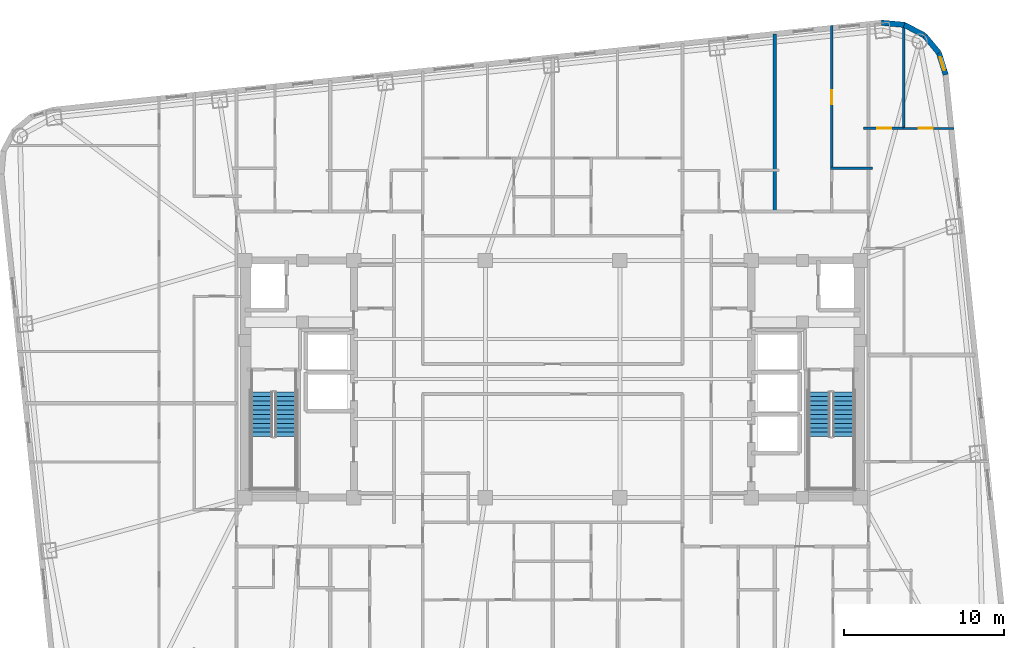
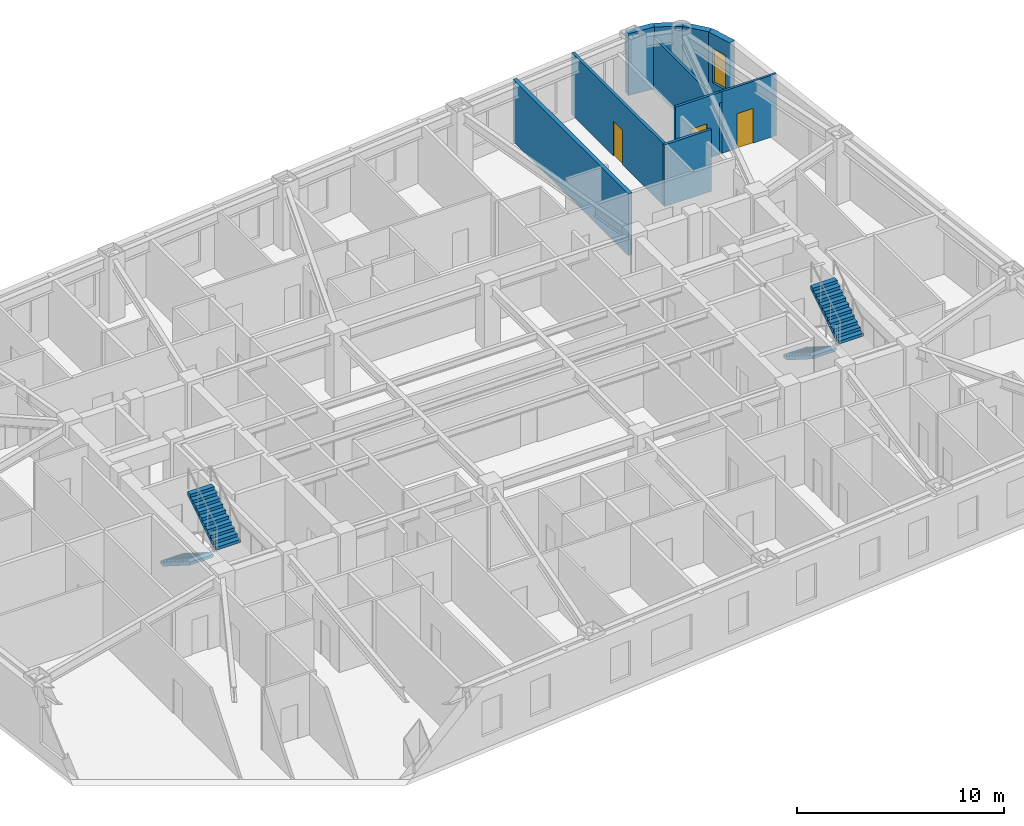
# One storey, part 9 of 11: 10 walls, 4 stair flights, 3 doors, 1 window, 4 openings, 2 elements without a shape of their own.
"""IFC4 building model written with IfcOpenShell, lengths in metres."""

import ifcopenshell
import ifcopenshell.guid

model = None  # the IFC model being written
_history = None  # IfcOwnerHistory: only IFC2X3 demands one
_inside = {}  # id of a spatial element -> (the spatial element, [elements in it])
_under = {}  # id of a project, library or spatial element -> (it, [spatial elements below it])
_declared = {}  # id of a project -> (the project, [libraries it declares])
_typed = {}  # id of a type object -> (the type object, [elements of that type])
_made_of = {}  # id of a material, layer set ... -> (it, [elements and type objects made of it])


def new_model(schema):
    """Start an empty IFC model of exactly this schema.

    Asked for "IFC4X3", IfcOpenShell would pick the latest addendum, in which some entities
    have other attributes; the version numbers below select the first issue.
    IFC2X3 requires an IfcOwnerHistory on every rooted entity: one is made here for all.
    """
    global model, _history
    if schema == "IFC4X3":
        model = ifcopenshell.file(schema_version=(4, 3, 0, 0))
    else:
        model = ifcopenshell.file(schema=schema)
    _inside.clear()
    _under.clear()
    _declared.clear()
    _typed.clear()
    _made_of.clear()
    _history = None
    if model.schema == "IFC2X3":
        org = make("IfcOrganization", Name="unknown")
        user = make(
            "IfcPersonAndOrganization",
            ThePerson=make("IfcPerson", FamilyName="unknown"),
            TheOrganization=org,
        )
        app = make(
            "IfcApplication",
            ApplicationDeveloper=org,
            Version="unknown",
            ApplicationFullName="unknown",
            ApplicationIdentifier="unknown",
        )
        _history = make(
            "IfcOwnerHistory",
            OwningUser=user,
            OwningApplication=app,
            ChangeAction="ADDED",
            CreationDate=0,
        )
    return model


def make(cls, **values):
    """One entity of the class cls with the attributes given. An attribute that is None is left unset."""
    return model.create_entity(
        cls, **{name: value for name, value in values.items() if value is not None}
    )


def rooted(cls, **values):
    """An entity with a GlobalId (a new one), such as an element, a storey or a relation."""
    return make(cls, GlobalId=ifcopenshell.guid.new(), OwnerHistory=_history, **values)


def si_unit(unit_type, name, prefix=None):
    """IfcSIUnit, for example si_unit("LENGTHUNIT", "METRE", prefix="MILLI")."""
    return make("IfcSIUnit", UnitType=unit_type, Prefix=prefix, Name=name)


def assignment(units):
    """IfcUnitAssignment: the units of a project."""
    return None if units is None else make("IfcUnitAssignment", Units=units)


def point(xyz):
    """IfcCartesianPoint."""
    return None if xyz is None else make("IfcCartesianPoint", Coordinates=xyz)


def direction(xyz):
    """IfcDirection."""
    return None if xyz is None else make("IfcDirection", DirectionRatios=xyz)


def frame(location, z_axis=None, x_axis=None):
    """IfcAxis2Placement3D, a coordinate frame: its origin and axes. An axis left out is left unset."""
    return make(
        "IfcAxis2Placement3D",
        Location=point(location),
        Axis=direction(z_axis),
        RefDirection=direction(x_axis),
    )


def frame_2d(location, x_axis=None):
    """IfcAxis2Placement2D, a coordinate frame in the plane: its origin and x axis."""
    return make(
        "IfcAxis2Placement2D", Location=point(location), RefDirection=direction(x_axis)
    )


def origin():
    """The frame at (0, 0, 0) with its axes left unset."""
    return frame((0.0, 0.0, 0.0))


def place(relative_to, where):
    """IfcLocalPlacement: puts the frame where relative to a parent placement (None: the world)."""
    return make(
        "IfcLocalPlacement", PlacementRelTo=relative_to, RelativePlacement=where
    )


def context(
    kind, dimensions, precision=None, world=None, true_north=None, identifier=None
):
    """IfcGeometricRepresentationContext, for example the 3D "Model" context."""
    return make(
        "IfcGeometricRepresentationContext",
        ContextIdentifier=identifier,
        ContextType=kind,
        CoordinateSpaceDimension=dimensions,
        Precision=precision,
        WorldCoordinateSystem=world,
        TrueNorth=true_north,
    )


def subcontext(parent, identifier, kind, view, scale=None):
    """IfcGeometricRepresentationSubContext, for example "Body" below "Model"."""
    return make(
        "IfcGeometricRepresentationSubContext",
        ContextIdentifier=identifier,
        ContextType=kind,
        ParentContext=parent,
        TargetScale=scale,
        TargetView=view,
    )


def project(units=None, contexts=None):
    """IfcProject with its units and contexts."""
    return rooted(
        "IfcProject",
        Name="project",
        RepresentationContexts=contexts,
        UnitsInContext=assignment(units),
    )


def spatial(cls, under=None, at=None, **own):
    """A site, building, storey or space (cls), placed at a placement, below another one or the project."""
    s = rooted(cls, ObjectPlacement=at, **own)
    if under is not None:
        _under.setdefault(under.id(), (under, []))[1].append(s)
    return s


def polyline(points):
    """IfcPolyline through the points."""
    return make("IfcPolyline", Points=[point(p) for p in points])


def profile(cls, at=None, kind="AREA", **sizes):
    """A parametric profile (cls). Its sizes go by their IFC names, for example OverallWidth=200.0."""
    return make(cls, ProfileType=kind, Position=at, **sizes)


def rectangle(**sizes):
    """IfcRectangleProfileDef."""
    return profile("IfcRectangleProfileDef", **sizes)


def outline(outer, holes=None, kind="AREA"):
    """IfcArbitraryClosedProfileDef: a profile drawn as a closed curve; with holes, ...WithVoids."""
    if holes is None:
        return make("IfcArbitraryClosedProfileDef", ProfileType=kind, OuterCurve=outer)
    return make(
        "IfcArbitraryProfileDefWithVoids",
        ProfileType=kind,
        OuterCurve=outer,
        InnerCurves=holes,
    )


def extrude(swept, where, along, depth):
    """IfcExtrudedAreaSolid: the profile swept, set in the frame where, extruded along a direction by depth."""
    return make(
        "IfcExtrudedAreaSolid",
        SweptArea=swept,
        Position=where,
        ExtrudedDirection=direction(along),
        Depth=depth,
    )


def shape(context_of_items, identifier, shape_type, items):
    """IfcShapeRepresentation: the items that make up one representation, for example the "Body"."""
    return make(
        "IfcShapeRepresentation",
        ContextOfItems=context_of_items,
        RepresentationIdentifier=identifier,
        RepresentationType=shape_type,
        Items=items,
    )


def material(Name=None, Category=None):
    """IfcMaterial."""
    return make("IfcMaterial", Name=Name, Category=Category)


def layer(
    of_material, thickness, ventilated=None, Name=None, Category=None, Priority=None
):
    """IfcMaterialLayer: one layer of a wall or slab, of a material (None: an air gap)."""
    return make(
        "IfcMaterialLayer",
        Material=of_material,
        LayerThickness=thickness,
        IsVentilated=ventilated,
        Name=Name,
        Category=Category,
        Priority=Priority,
    )


def layer_set(layers, Name=None):
    """IfcMaterialLayerSet."""
    return make("IfcMaterialLayerSet", MaterialLayers=layers, LayerSetName=Name)


def made_of(thing, what):
    """Note that an element or type object is made of a material, layer set ...; save() writes the relation."""
    if what is not None:
        _made_of.setdefault(what.id(), (what, []))[1].append(thing)
    return thing


def type_object(cls, material=None, **own):
    """A type object (cls), such as IfcWallType, which elements share."""
    return made_of(rooted(cls, **own), material)


def element(
    cls,
    number,
    at=None,
    inside=None,
    cuts=None,
    type_object=None,
    material=None,
    context=None,
    identifier="Body",
    shape_type=None,
    held_by="IfcProductDefinitionShape",
    body=None,
    shapes=None,
    **own,
):
    """One element of the class cls, such as IfcWall. Its Tag is "e" and its number.

    at: its placement. inside: the storey or other place that contains it. cuts: it is an
    opening in that element (IfcRelVoidsElement). A single representation is given by context,
    identifier, shape_type and body (its items); several are given by shapes. held_by: the class
    of the entity that holds the representations. save() writes the other relations.
    """
    e = rooted(cls, Tag="e%d" % number, ObjectPlacement=at, **own)
    if body is not None:
        shapes = [shape(context, identifier, shape_type, body)]
    if shapes is not None:
        e.Representation = make(held_by, Representations=shapes)
    if inside is not None:
        _inside.setdefault(inside.id(), (inside, []))[1].append(e)
    if cuts is not None:
        rooted(
            "IfcRelVoidsElement", RelatingBuildingElement=cuts, RelatedOpeningElement=e
        )
    if type_object is not None:
        _typed.setdefault(type_object.id(), (type_object, []))[1].append(e)
    return made_of(e, material)


def fill(opening, filler):
    """IfcRelFillsElement: the door or window that sits in an opening."""
    return rooted(
        "IfcRelFillsElement",
        RelatingOpeningElement=opening,
        RelatedBuildingElement=filler,
    )


def aggregate(whole, parts):
    """IfcRelAggregates: a whole, such as a stair, and the parts it consists of."""
    return rooted("IfcRelAggregates", RelatingObject=whole, RelatedObjects=parts)


def save(model, path):
    """Write the relations noted so far, then the file.

    IfcRelAggregates (storeys below a building ...), IfcRelContainedInSpatialStructure (elements
    in a storey), IfcRelDefinesByType, IfcRelAssociatesMaterial and IfcRelDeclares: one each for
    every whole, place, type object, material and project.
    """
    for whole, parts in _under.values():
        aggregate(whole, parts)
    for where, things in _inside.values():
        rooted(
            "IfcRelContainedInSpatialStructure",
            RelatedElements=things,
            RelatingStructure=where,
        )
    for kind, things in _typed.values():
        rooted("IfcRelDefinesByType", RelatedObjects=things, RelatingType=kind)
    for what, things in _made_of.values():
        rooted("IfcRelAssociatesMaterial", RelatedObjects=things, RelatingMaterial=what)
    for by, libraries in _declared.values():
        rooted("IfcRelDeclares", RelatingContext=by, RelatedDefinitions=libraries)
    model.write(path)


model = new_model("IFC4")

# Units and contexts
model_context = context("Model", 3, precision=1e-05, world=origin(), true_north=direction((0.0, 1.0)))
body_context = subcontext(model_context, "Body", "Model", "MODEL_VIEW")
ifc_project = project(units=[si_unit("LENGTHUNIT", "METRE"), si_unit("AREAUNIT", "SQUARE_METRE"), si_unit("VOLUMEUNIT", "CUBIC_METRE"), si_unit("PLANEANGLEUNIT", "RADIAN"), si_unit("MASSUNIT", "GRAM", prefix="KILO")], contexts=[model_context])

# Site, building, storey
site_placement = place(None, origin())
site = spatial("IfcSite", under=ifc_project, at=site_placement, CompositionType="ELEMENT")
building_placement = place(site_placement, origin())
building = spatial("IfcBuilding", under=site, at=building_placement, Name="Voryun Gate Residences", CompositionType="ELEMENT")
storey_placement = place(building_placement, frame((0.0, 0.0, 156.0)))
storey = spatial("IfcBuildingStorey", under=building, at=storey_placement, Name="L38", CompositionType="ELEMENT", Elevation=156.0)

# Walls
ifc_material_1 = material(Name="Charcoal terracotta masonry", Category="masonry")
ifc_layer_1 = layer(ifc_material_1, 0.340087890625, Name="W_EXT_TERRACOTTA_340")
ifc_layer_set_1 = layer_set([ifc_layer_1], Name="Charcoal terracotta masonry")
wall_type_1 = type_object("IfcWallType", Name="W_EXT_TERRACOTTA_340", PredefinedType="ELEMENTEDWALL", material=ifc_layer_set_1)
wall_1_placement = place(storey_placement, frame((20.5263671875, 22.235107421875, 0.0), z_axis=(0.0, 0.0, 1.0), x_axis=(0.995800460351, -0.091550222087, 0.0)))
element("IfcWall", 1, at=wall_1_placement, inside=storey, type_object=wall_type_1, Name="Exterior wall WEXT-L38-12", PredefinedType="ELEMENTEDWALL", context=body_context, shape_type="SweptSolid", body=[
    extrude(rectangle(XDim=1.43212890625, YDim=0.340087890625, at=frame_2d((0.716064453125, 0.0))), origin(), (0.0, 0.0, 1.0), 3.64990234375),
])
wall_2_placement = place(storey_placement, frame((21.952392578125, 22.10400390625, 0.0), z_axis=(0.0, 0.0, 1.0), x_axis=(0.885023004245, -0.465547292933, 0.0)))
element("IfcWall", 2, at=wall_2_placement, inside=storey, type_object=wall_type_1, Name="Exterior wall WEXT-L38-13", PredefinedType="ELEMENTEDWALL", context=body_context, shape_type="SweptSolid", body=[
    extrude(rectangle(XDim=1.414794921875, YDim=0.340087890625, at=frame_2d((0.70751953125, 0.0))), origin(), (0.0, 0.0, 1.0), 3.64990234375),
])
wall_3_placement = place(storey_placement, frame((23.20458984375, 21.4453125, 0.0), z_axis=(0.0, 0.0, 1.0), x_axis=(0.639539337522, -0.768758372808, 0.0)))
element("IfcWall", 3, at=wall_3_placement, inside=storey, type_object=wall_type_1, Name="Exterior wall WEXT-L38-14", PredefinedType="ELEMENTEDWALL", context=body_context, shape_type="SweptSolid", body=[
    extrude(rectangle(XDim=1.4150390625, YDim=0.340087890625, at=frame_2d((0.70751953125, 0.0))), origin(), (0.0, 0.0, 1.0), 3.64990234375),
])

# Wall, opening, window
wall_4_placement = place(storey_placement, frame((24.109619140625, 20.357421875, 0.0), z_axis=(0.0, 0.0, 1.0), x_axis=(0.296420660287, -0.955057481074, 0.0)))
wall_4 = element("IfcWall", 4, at=wall_4_placement, inside=storey, type_object=wall_type_1, Name="Exterior wall WEXT-L38-15", PredefinedType="ELEMENTEDWALL", context=body_context, shape_type="SweptSolid", body=[
    extrude(rectangle(XDim=1.432373046875, YDim=0.340087890625, at=frame_2d((0.71630859375, 0.0))), origin(), (0.0, 0.0, 1.0), 3.64990234375),
])
opening_1_placement = place(wall_4_placement, frame((0.291015625, 0.0, 0.75)))
opening_1 = element("IfcOpeningElement", 5, at=opening_1_placement, cuts=wall_4, Name="Opening WN9", PredefinedType="OPENING", context=body_context, shape_type="SweptSolid", body=[
    extrude(rectangle(XDim=0.85009765625, YDim=2.050048828125, at=frame_2d((0.425048828125, 1.02490234375))), frame((0.0, 0.179931640625, 0.0), z_axis=(0.0, -1.0, 0.0), x_axis=(1.0, 0.0, 0.0)), (0.0, 0.0, 1.0), 0.360107421875),
])
ifc_material_2 = material(Name="Laminated low-E glass", Category="glass")
window_type = type_object("IfcWindowType", Name="WN_RES_CASEMENT_850", PartitioningType="SINGLE_PANEL", PredefinedType="WINDOW", material=ifc_material_2)
window_placement = place(opening_1_placement, origin())
window = element("IfcWindow", 6, at=window_placement, inside=storey, type_object=window_type, Name="Window WN-L38-DWFIX-27", OverallHeight=2.050048828125, OverallWidth=0.85009765625, PartitioningType="SINGLE_PANEL", PredefinedType="WINDOW", context=body_context, shape_type="SweptSolid", body=[
    extrude(rectangle(XDim=0.85009765625, YDim=2.050048828125, at=frame_2d((0.425048828125, 1.02490234375))), frame((0.0, 0.030029296875, 0.0), z_axis=(0.0, -1.0, 0.0), x_axis=(1.0, 0.0, 0.0)), (0.0, 0.0, 1.0), 0.06005859375),
])
fill(opening_1, window)

# Wall
ifc_material_3 = material(Name="Concrete C40/50", Category="concrete")
ifc_layer_2 = layer(ifc_material_3, 0.219970703125, Name="W_PARTY_ACOUSTIC_220")
ifc_layer_set_2 = layer_set([ifc_layer_2], Name="Concrete C40/50")
wall_type_2 = type_object("IfcWallType", Name="W_PARTY_ACOUSTIC_220", PredefinedType="PARTITIONING", material=ifc_layer_set_2)
wall_5_placement = place(storey_placement, frame((13.864990234375, 10.3701171875, 0.0), z_axis=(0.0, 0.0, 1.0), x_axis=(0.0, 1.0, 0.0)))
element("IfcWall", 7, at=wall_5_placement, inside=storey, type_object=wall_type_2, Name="Partition wall WP-L38-NPTY-4", PredefinedType="PARTITIONING", context=body_context, shape_type="SweptSolid", body=[
    extrude(rectangle(XDim=11.164794921875, YDim=0.219970703125, at=frame_2d((5.58251953125, 0.0))), origin(), (0.0, 0.0, 1.0), 3.64990234375),
])

# Wall, opening, door
ifc_material_4 = material(Name="Gypsum acoustic partition")
ifc_layer_3 = layer(ifc_material_4, 0.125, Name="W_UNIT_PART_125")
ifc_layer_set_3 = layer_set([ifc_layer_3], Name="Gypsum acoustic partition")
wall_type_3 = type_object("IfcWallType", Name="W_UNIT_PART_125", PredefinedType="PARTITIONING", material=ifc_layer_set_3)
wall_6_placement = place(storey_placement, frame((21.860107421875, 15.64208984375, 0.0), z_axis=(0.0, 0.0, 1.0), x_axis=(1.0, 0.0, 0.0)))
wall_6 = element("IfcWall", 8, at=wall_6_placement, inside=storey, type_object=wall_type_3, Name="Partition wall WP-L38-E2-OHZ", PredefinedType="PARTITIONING", context=body_context, shape_type="SweptSolid", body=[
    extrude(rectangle(XDim=3.1767578125, YDim=0.125, at=frame_2d((1.58837890625, 0.0))), origin(), (0.0, 0.0, 1.0), 3.64990234375),
])
opening_2_placement = place(wall_6_placement, frame((0.9794921875, 0.0, 0.0)))
opening_2 = element("IfcOpeningElement", 9, at=opening_2_placement, cuts=wall_6, Name="Opening D-INT-2", PredefinedType="OPENING", context=body_context, shape_type="SweptSolid", body=[
    extrude(rectangle(XDim=0.89990234375, YDim=2.050048828125, at=frame_2d((0.449951171875, 1.02490234375))), frame((0.0, 0.072509765625, 0.0), z_axis=(0.0, -1.0, 0.0), x_axis=(1.0, 0.0, 0.0)), (0.0, 0.0, 1.0), 0.14501953125),
])
ifc_material_5 = material(Name="Architectural oak veneer")
door_type = type_object("IfcDoorType", Name="DR_INT_BATH_900", OperationType="NOTDEFINED", PredefinedType="DOOR", material=ifc_material_5)
door_1_placement = place(opening_2_placement, origin())
door_1 = element("IfcDoor", 10, at=door_1_placement, inside=storey, type_object=door_type, Name="Door DR-L38-E2-DMB", OperationType="SINGLE_SWING_LEFT", OverallHeight=2.050048828125, OverallWidth=0.89990234375, PredefinedType="DOOR", context=body_context, shape_type="SweptSolid", body=[
    extrude(rectangle(XDim=0.89990234375, YDim=2.050048828125, at=frame_2d((0.449951171875, 1.02490234375))), frame((0.0, 0.02490234375, 0.0), z_axis=(0.0, -1.0, 0.0), x_axis=(1.0, 0.0, 0.0)), (0.0, 0.0, 1.0), 0.050048828125),
])
fill(opening_2, door_1)

# Wall
ifc_material_6 = material(Name="Gypsum moisture-resistant partition")
ifc_layer_4 = layer(ifc_material_6, 0.14990234375, Name="W_WET_PLUMB_150")
ifc_layer_set_4 = layer_set([ifc_layer_4], Name="Gypsum moisture-resistant partition")
wall_type_4 = type_object("IfcWallType", Name="W_WET_PLUMB_150", PredefinedType="PLUMBINGWALL", material=ifc_layer_set_4)
wall_7_placement = place(storey_placement, frame((17.3369140625, 13.14990234375, 0.0), z_axis=(0.0, 0.0, 1.0), x_axis=(1.0, 0.0, 0.0)))
element("IfcWall", 11, at=wall_7_placement, inside=storey, type_object=wall_type_4, Name="Partition wall WP-L38-N5-SKB", PredefinedType="PLUMBINGWALL", context=body_context, shape_type="SweptSolid", body=[
    extrude(rectangle(XDim=2.633056640625, YDim=0.14990234375, at=frame_2d((1.31640625, 0.0))), origin(), (0.0, 0.0, 1.0), 3.64990234375),
])

# Wall, opening, door
wall_8_placement = place(storey_placement, frame((17.4169921875, 13.110107421875, 0.0), z_axis=(0.0, 0.0, 1.0), x_axis=(0.0, 1.0, 0.0)))
wall_8 = element("IfcWall", 12, at=wall_8_placement, inside=storey, type_object=wall_type_4, Name="Partition wall WP-L38-N5-SVT2", PredefinedType="PLUMBINGWALL", context=body_context, shape_type="SweptSolid", body=[
    extrude(rectangle(XDim=8.948974609375, YDim=0.14990234375, at=frame_2d((4.474609375, 0.0))), origin(), (0.0, 0.0, 1.0), 3.64990234375),
])
opening_3_placement = place(wall_8_placement, frame((4.024658203125, 0.0, 0.0)))
opening_3 = element("IfcOpeningElement", 13, at=opening_3_placement, cuts=wall_8, Name="Opening D-INT-2", PredefinedType="OPENING", context=body_context, shape_type="SweptSolid", body=[
    extrude(rectangle(XDim=0.89990234375, YDim=2.050048828125, at=frame_2d((0.449951171875, 1.02490234375))), frame((0.0, 0.0849609375, 0.0), z_axis=(0.0, -1.0, 0.0), x_axis=(1.0, 0.0, 0.0)), (0.0, 0.0, 1.0), 0.169921875),
])
door_2_placement = place(opening_3_placement, origin())
door_2 = element("IfcDoor", 14, at=door_2_placement, inside=storey, type_object=door_type, Name="Door DR-L38-N5-DK", OperationType="SINGLE_SWING_RIGHT", OverallHeight=2.050048828125, OverallWidth=0.89990234375, PredefinedType="DOOR", context=body_context, shape_type="SweptSolid", body=[
    extrude(rectangle(XDim=0.89990234375, YDim=2.050048828125, at=frame_2d((0.449951171875, 1.02490234375))), frame((0.0, 0.02490234375, 0.0), z_axis=(0.0, -1.0, 0.0), x_axis=(1.0, 0.0, 0.0)), (0.0, 0.0, 1.0), 0.050048828125),
])
fill(opening_3, door_2)

wall_9_placement = place(storey_placement, frame((19.39990234375, 15.64208984375, 0.0), z_axis=(0.0, 0.0, 1.0), x_axis=(1.0, 0.0, 0.0)))
wall_9 = element("IfcWall", 15, at=wall_9_placement, inside=storey, type_object=wall_type_4, Name="Partition wall WP-L38-E2-IBB", PredefinedType="PLUMBINGWALL", context=body_context, shape_type="SweptSolid", body=[
    extrude(rectangle(XDim=2.60009765625, YDim=0.14990234375, at=frame_2d((1.300048828125, 0.0))), origin(), (0.0, 0.0, 1.0), 3.64990234375),
])
opening_4_placement = place(wall_9_placement, frame((0.85009765625, 0.0, 0.0)))
opening_4 = element("IfcOpeningElement", 16, at=opening_4_placement, cuts=wall_9, Name="Opening D-INT-2", PredefinedType="OPENING", context=body_context, shape_type="SweptSolid", body=[
    extrude(rectangle(XDim=0.89990234375, YDim=2.050048828125, at=frame_2d((0.449951171875, 1.02490234375))), frame((0.0, 0.0849609375, 0.0), z_axis=(0.0, -1.0, 0.0), x_axis=(1.0, 0.0, 0.0)), (0.0, 0.0, 1.0), 0.169921875),
])
door_3_placement = place(opening_4_placement, origin())
door_3 = element("IfcDoor", 17, at=door_3_placement, inside=storey, type_object=door_type, Name="Door DR-L38-E2-DB", OperationType="SINGLE_SWING_RIGHT", OverallHeight=2.050048828125, OverallWidth=0.89990234375, PredefinedType="DOOR", context=body_context, shape_type="SweptSolid", body=[
    extrude(rectangle(XDim=0.89990234375, YDim=2.050048828125, at=frame_2d((0.449951171875, 1.02490234375))), frame((0.0, 0.02490234375, 0.0), z_axis=(0.0, -1.0, 0.0), x_axis=(1.0, 0.0, 0.0)), (0.0, 0.0, 1.0), 0.050048828125),
])
fill(opening_4, door_3)

# Wall
wall_10_placement = place(storey_placement, frame((21.919921875, 15.56201171875, 0.0), z_axis=(0.0, 0.0, 1.0), x_axis=(0.0, 1.0, 0.0)))
element("IfcWall", 18, at=wall_10_placement, inside=storey, type_object=wall_type_4, Name="Partition wall WP-L38-E2-VTB", PredefinedType="PLUMBINGWALL", context=body_context, shape_type="SweptSolid", body=[
    extrude(rectangle(XDim=6.69580078125, YDim=0.14990234375, at=frame_2d((3.347900390625, 0.0))), origin(), (0.0, 0.0, 1.0), 3.0400390625),
])

# Stair, stair flights
ifc_material_7 = material(Name="Concrete C40/50", Category="concrete")
stair_type = type_object("IfcStairType", Name="STR_CORE_DOGLEG_1350", PredefinedType="HALF_TURN_STAIR", material=ifc_material_7)
stair_1_placement = place(storey_placement, origin())
stair_1 = element("IfcStair", 19, at=stair_1_placement, inside=storey, type_object=stair_type, Name="L38 Special Escape Stair ST-W1", PredefinedType="HALF_TURN_STAIR")
ifc_material_8 = material(Name="Concrete C40/50", Category="concrete")
stair_flight_type = type_object("IfcStairFlightType", Name="FLT_CORE_1350", PredefinedType="STRAIGHT", material=ifc_material_8)
stair_flight_1_placement = place(storey_placement, frame((-18.14990234375, -0.800048828125, 0.0), z_axis=(0.0, 0.0, 1.0), x_axis=(0.0, -1.0, 0.0)))
stair_flight_1 = element("IfcStairFlight", 20, at=stair_flight_1_placement, type_object=stair_flight_type, Name="ST-W1 flight 1", NumberOfRisers=11, NumberOfTreads=10, PredefinedType="STRAIGHT", RiserHeight=0.177272727, TreadLength=0.28, context=body_context, shape_type="SweptSolid", body=[
    extrude(outline(polyline([(0.0, 0.0), (0.0, 0.17724609375), (0.280029296875, 0.17724609375), (0.280029296875, 0.3544921875), (0.56005859375, 0.3544921875), (0.56005859375, 0.53173828125), (0.840087890625, 0.53173828125), (0.840087890625, 0.708984375), (1.1201171875, 0.708984375), (1.1201171875, 0.886474609375), (1.39990234375, 0.886474609375), (1.39990234375, 1.063720703125), (1.679931640625, 1.063720703125), (1.679931640625, 1.240966796875), (1.9599609375, 1.240966796875), (1.9599609375, 1.418212890625), (2.239990234375, 1.418212890625), (2.239990234375, 1.595458984375), (2.52001953125, 1.595458984375), (2.52001953125, 1.772705078125), (2.800048828125, 1.772705078125), (2.800048828125, 1.949951171875), (2.800048828125, 1.59521484375), (0.2802734375, 0.0), (0.0, 0.0)])), frame((0.0, 0.675048828125, 0.0), z_axis=(0.0, -1.0, 0.0), x_axis=(1.0, 0.0, 0.0)), (0.0, 0.0, 1.0), 1.35009765625),
])
stair_flight_2_placement = place(storey_placement, frame((-16.64990234375, -3.60009765625, 1.949951171875), z_axis=(0.0, 0.0, 1.0), x_axis=(0.0, 1.0, 0.0)))
stair_flight_2 = element("IfcStairFlight", 21, at=stair_flight_2_placement, type_object=stair_flight_type, Name="ST-W1 flight 2", NumberOfRisers=11, NumberOfTreads=10, PredefinedType="STRAIGHT", RiserHeight=0.177272727, TreadLength=0.28, context=body_context, shape_type="SweptSolid", body=[
    extrude(outline(polyline([(0.0, 0.0), (0.0, 0.17724609375), (0.280029296875, 0.17724609375), (0.280029296875, 0.3544921875), (0.56005859375, 0.3544921875), (0.56005859375, 0.53173828125), (0.840087890625, 0.53173828125), (0.840087890625, 0.708984375), (1.1201171875, 0.708984375), (1.1201171875, 0.886474609375), (1.39990234375, 0.886474609375), (1.39990234375, 1.063720703125), (1.679931640625, 1.063720703125), (1.679931640625, 1.240966796875), (1.9599609375, 1.240966796875), (1.9599609375, 1.418212890625), (2.239990234375, 1.418212890625), (2.239990234375, 1.595458984375), (2.52001953125, 1.595458984375), (2.52001953125, 1.772705078125), (2.800048828125, 1.772705078125), (2.800048828125, 1.949951171875), (2.800048828125, 1.59521484375), (0.2802734375, 0.0), (0.0, 0.0)])), frame((0.0, 0.675048828125, 0.0), z_axis=(0.0, -1.0, 0.0), x_axis=(1.0, 0.0, 0.0)), (0.0, 0.0, 1.0), 1.35009765625),
])
aggregate(stair_1, [stair_flight_1, stair_flight_2])

stair_2_placement = place(storey_placement, origin())
stair_2 = element("IfcStair", 22, at=stair_2_placement, inside=storey, type_object=stair_type, Name="L38 Special Escape Stair ST-E1", PredefinedType="HALF_TURN_STAIR")
stair_flight_3_placement = place(storey_placement, frame((16.64990234375, -0.800048828125, 0.0), z_axis=(0.0, 0.0, 1.0), x_axis=(0.0, -1.0, 0.0)))
stair_flight_3 = element("IfcStairFlight", 23, at=stair_flight_3_placement, type_object=stair_flight_type, Name="ST-E1 flight 1", NumberOfRisers=11, NumberOfTreads=10, PredefinedType="STRAIGHT", RiserHeight=0.177272727, TreadLength=0.28, context=body_context, shape_type="SweptSolid", body=[
    extrude(outline(polyline([(0.0, 0.0), (0.0, 0.17724609375), (0.280029296875, 0.17724609375), (0.280029296875, 0.3544921875), (0.56005859375, 0.3544921875), (0.56005859375, 0.53173828125), (0.840087890625, 0.53173828125), (0.840087890625, 0.708984375), (1.1201171875, 0.708984375), (1.1201171875, 0.886474609375), (1.39990234375, 0.886474609375), (1.39990234375, 1.063720703125), (1.679931640625, 1.063720703125), (1.679931640625, 1.240966796875), (1.9599609375, 1.240966796875), (1.9599609375, 1.418212890625), (2.239990234375, 1.418212890625), (2.239990234375, 1.595458984375), (2.52001953125, 1.595458984375), (2.52001953125, 1.772705078125), (2.800048828125, 1.772705078125), (2.800048828125, 1.949951171875), (2.800048828125, 1.59521484375), (0.2802734375, 0.0), (0.0, 0.0)])), frame((0.0, 0.675048828125, 0.0), z_axis=(0.0, -1.0, 0.0), x_axis=(1.0, 0.0, 0.0)), (0.0, 0.0, 1.0), 1.35009765625),
])
stair_flight_4_placement = place(storey_placement, frame((18.14990234375, -3.60009765625, 1.949951171875), z_axis=(0.0, 0.0, 1.0), x_axis=(0.0, 1.0, 0.0)))
stair_flight_4 = element("IfcStairFlight", 24, at=stair_flight_4_placement, type_object=stair_flight_type, Name="ST-E1 flight 2", NumberOfRisers=11, NumberOfTreads=10, PredefinedType="STRAIGHT", RiserHeight=0.177272727, TreadLength=0.28, context=body_context, shape_type="SweptSolid", body=[
    extrude(outline(polyline([(0.0, 0.0), (0.0, 0.17724609375), (0.280029296875, 0.17724609375), (0.280029296875, 0.3544921875), (0.56005859375, 0.3544921875), (0.56005859375, 0.53173828125), (0.840087890625, 0.53173828125), (0.840087890625, 0.708984375), (1.1201171875, 0.708984375), (1.1201171875, 0.886474609375), (1.39990234375, 0.886474609375), (1.39990234375, 1.063720703125), (1.679931640625, 1.063720703125), (1.679931640625, 1.240966796875), (1.9599609375, 1.240966796875), (1.9599609375, 1.418212890625), (2.239990234375, 1.418212890625), (2.239990234375, 1.595458984375), (2.52001953125, 1.595458984375), (2.52001953125, 1.772705078125), (2.800048828125, 1.772705078125), (2.800048828125, 1.949951171875), (2.800048828125, 1.59521484375), (0.2802734375, 0.0), (0.0, 0.0)])), frame((0.0, 0.675048828125, 0.0), z_axis=(0.0, -1.0, 0.0), x_axis=(1.0, 0.0, 0.0)), (0.0, 0.0, 1.0), 1.35009765625),
])
aggregate(stair_2, [stair_flight_3, stair_flight_4])

save(model, "model.ifc")
